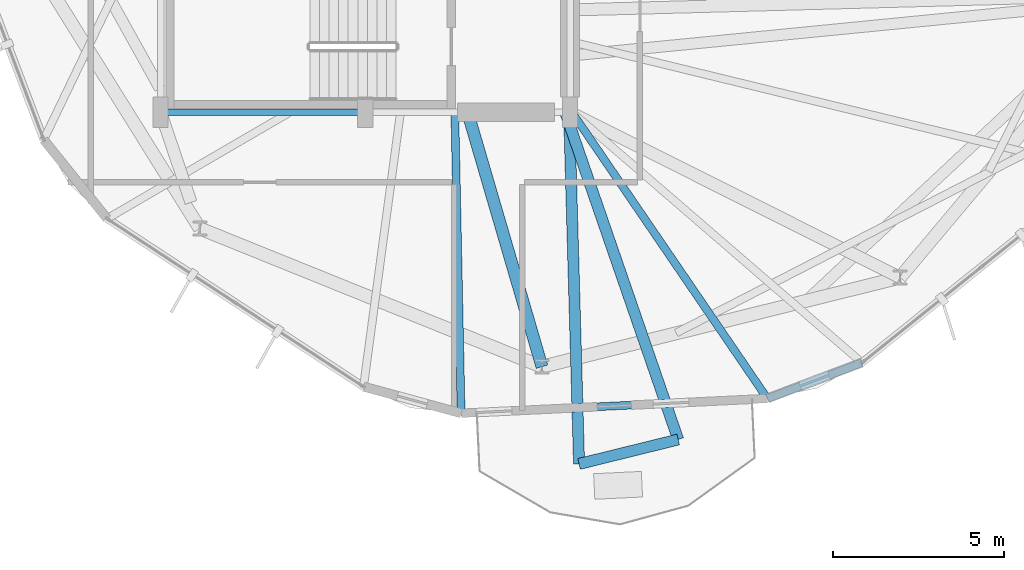
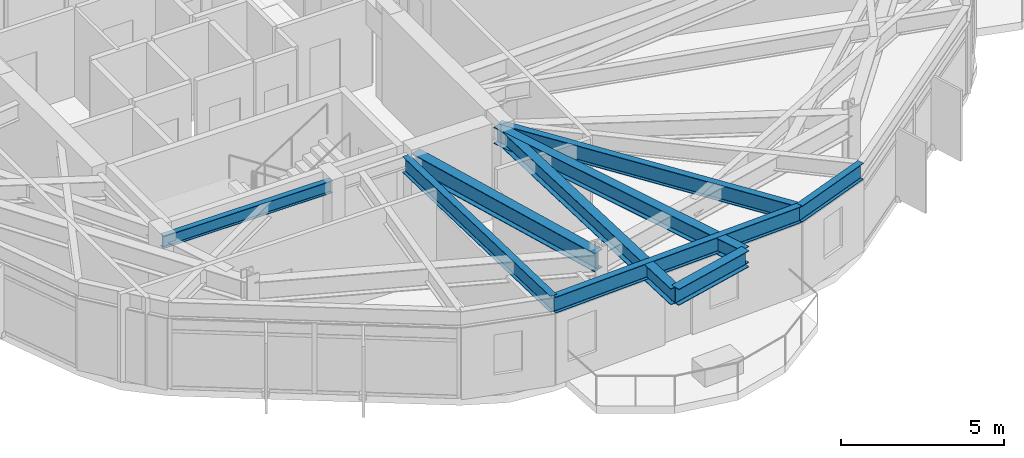
# One storey, part 4 of 23: 9 beams.
"""IFC4 building model written with IfcOpenShell, lengths in metres."""

import ifcopenshell
import ifcopenshell.guid

model = None  # the IFC model being written
_history = None  # IfcOwnerHistory: only IFC2X3 demands one
_inside = {}  # id of a spatial element -> (the spatial element, [elements in it])
_under = {}  # id of a project, library or spatial element -> (it, [spatial elements below it])
_declared = {}  # id of a project -> (the project, [libraries it declares])
_typed = {}  # id of a type object -> (the type object, [elements of that type])
_made_of = {}  # id of a material, layer set ... -> (it, [elements and type objects made of it])


def new_model(schema):
    """Start an empty IFC model of exactly this schema.

    Asked for "IFC4X3", IfcOpenShell would pick the latest addendum, in which some entities
    have other attributes; the version numbers below select the first issue.
    IFC2X3 requires an IfcOwnerHistory on every rooted entity: one is made here for all.
    """
    global model, _history
    if schema == "IFC4X3":
        model = ifcopenshell.file(schema_version=(4, 3, 0, 0))
    else:
        model = ifcopenshell.file(schema=schema)
    _inside.clear()
    _under.clear()
    _declared.clear()
    _typed.clear()
    _made_of.clear()
    _history = None
    if model.schema == "IFC2X3":
        org = make("IfcOrganization", Name="unknown")
        user = make(
            "IfcPersonAndOrganization",
            ThePerson=make("IfcPerson", FamilyName="unknown"),
            TheOrganization=org,
        )
        app = make(
            "IfcApplication",
            ApplicationDeveloper=org,
            Version="unknown",
            ApplicationFullName="unknown",
            ApplicationIdentifier="unknown",
        )
        _history = make(
            "IfcOwnerHistory",
            OwningUser=user,
            OwningApplication=app,
            ChangeAction="ADDED",
            CreationDate=0,
        )
    return model


def make(cls, **values):
    """One entity of the class cls with the attributes given. An attribute that is None is left unset."""
    return model.create_entity(
        cls, **{name: value for name, value in values.items() if value is not None}
    )


def rooted(cls, **values):
    """An entity with a GlobalId (a new one), such as an element, a storey or a relation."""
    return make(cls, GlobalId=ifcopenshell.guid.new(), OwnerHistory=_history, **values)


def si_unit(unit_type, name, prefix=None):
    """IfcSIUnit, for example si_unit("LENGTHUNIT", "METRE", prefix="MILLI")."""
    return make("IfcSIUnit", UnitType=unit_type, Prefix=prefix, Name=name)


def assignment(units):
    """IfcUnitAssignment: the units of a project."""
    return None if units is None else make("IfcUnitAssignment", Units=units)


def point(xyz):
    """IfcCartesianPoint."""
    return None if xyz is None else make("IfcCartesianPoint", Coordinates=xyz)


def direction(xyz):
    """IfcDirection."""
    return None if xyz is None else make("IfcDirection", DirectionRatios=xyz)


def frame(location, z_axis=None, x_axis=None):
    """IfcAxis2Placement3D, a coordinate frame: its origin and axes. An axis left out is left unset."""
    return make(
        "IfcAxis2Placement3D",
        Location=point(location),
        Axis=direction(z_axis),
        RefDirection=direction(x_axis),
    )


def frame_2d(location, x_axis=None):
    """IfcAxis2Placement2D, a coordinate frame in the plane: its origin and x axis."""
    return make(
        "IfcAxis2Placement2D", Location=point(location), RefDirection=direction(x_axis)
    )


def origin():
    """The frame at (0, 0, 0) with its axes left unset."""
    return frame((0.0, 0.0, 0.0))


def origin_2d():
    """The frame at (0, 0) in the plane with its x axis left unset."""
    return frame_2d((0.0, 0.0))


def place(relative_to, where):
    """IfcLocalPlacement: puts the frame where relative to a parent placement (None: the world)."""
    return make(
        "IfcLocalPlacement", PlacementRelTo=relative_to, RelativePlacement=where
    )


def context(
    kind, dimensions, precision=None, world=None, true_north=None, identifier=None
):
    """IfcGeometricRepresentationContext, for example the 3D "Model" context."""
    return make(
        "IfcGeometricRepresentationContext",
        ContextIdentifier=identifier,
        ContextType=kind,
        CoordinateSpaceDimension=dimensions,
        Precision=precision,
        WorldCoordinateSystem=world,
        TrueNorth=true_north,
    )


def subcontext(parent, identifier, kind, view, scale=None):
    """IfcGeometricRepresentationSubContext, for example "Body" below "Model"."""
    return make(
        "IfcGeometricRepresentationSubContext",
        ContextIdentifier=identifier,
        ContextType=kind,
        ParentContext=parent,
        TargetScale=scale,
        TargetView=view,
    )


def project(units=None, contexts=None):
    """IfcProject with its units and contexts."""
    return rooted(
        "IfcProject",
        Name="project",
        RepresentationContexts=contexts,
        UnitsInContext=assignment(units),
    )


def spatial(cls, under=None, at=None, **own):
    """A site, building, storey or space (cls), placed at a placement, below another one or the project."""
    s = rooted(cls, ObjectPlacement=at, **own)
    if under is not None:
        _under.setdefault(under.id(), (under, []))[1].append(s)
    return s


def profile(cls, at=None, kind="AREA", **sizes):
    """A parametric profile (cls). Its sizes go by their IFC names, for example OverallWidth=200.0."""
    return make(cls, ProfileType=kind, Position=at, **sizes)


def i_section(**sizes):
    """IfcIShapeProfileDef."""
    return profile("IfcIShapeProfileDef", **sizes)


def extrude(swept, where, along, depth):
    """IfcExtrudedAreaSolid: the profile swept, set in the frame where, extruded along a direction by depth."""
    return make(
        "IfcExtrudedAreaSolid",
        SweptArea=swept,
        Position=where,
        ExtrudedDirection=direction(along),
        Depth=depth,
    )


def shape(context_of_items, identifier, shape_type, items):
    """IfcShapeRepresentation: the items that make up one representation, for example the "Body"."""
    return make(
        "IfcShapeRepresentation",
        ContextOfItems=context_of_items,
        RepresentationIdentifier=identifier,
        RepresentationType=shape_type,
        Items=items,
    )


def material(Name=None, Category=None):
    """IfcMaterial."""
    return make("IfcMaterial", Name=Name, Category=Category)


def material_profile(
    of_material, cross_section, Name=None, Category=None, Priority=None
):
    """IfcMaterialProfile: a cross section and its material."""
    return make(
        "IfcMaterialProfile",
        Name=Name,
        Material=of_material,
        Profile=cross_section,
        Priority=Priority,
        Category=Category,
    )


def profile_set(profiles, Name=None, composite=None):
    """IfcMaterialProfileSet."""
    return make(
        "IfcMaterialProfileSet",
        Name=Name,
        MaterialProfiles=profiles,
        CompositeProfile=composite,
    )


def made_of(thing, what):
    """Note that an element or type object is made of a material, layer set ...; save() writes the relation."""
    if what is not None:
        _made_of.setdefault(what.id(), (what, []))[1].append(thing)
    return thing


def type_object(cls, material=None, **own):
    """A type object (cls), such as IfcWallType, which elements share."""
    return made_of(rooted(cls, **own), material)


def element(
    cls,
    number,
    at=None,
    inside=None,
    cuts=None,
    type_object=None,
    material=None,
    context=None,
    identifier="Body",
    shape_type=None,
    held_by="IfcProductDefinitionShape",
    body=None,
    shapes=None,
    **own,
):
    """One element of the class cls, such as IfcWall. Its Tag is "e" and its number.

    at: its placement. inside: the storey or other place that contains it. cuts: it is an
    opening in that element (IfcRelVoidsElement). A single representation is given by context,
    identifier, shape_type and body (its items); several are given by shapes. held_by: the class
    of the entity that holds the representations. save() writes the other relations.
    """
    e = rooted(cls, Tag="e%d" % number, ObjectPlacement=at, **own)
    if body is not None:
        shapes = [shape(context, identifier, shape_type, body)]
    if shapes is not None:
        e.Representation = make(held_by, Representations=shapes)
    if inside is not None:
        _inside.setdefault(inside.id(), (inside, []))[1].append(e)
    if cuts is not None:
        rooted(
            "IfcRelVoidsElement", RelatingBuildingElement=cuts, RelatedOpeningElement=e
        )
    if type_object is not None:
        _typed.setdefault(type_object.id(), (type_object, []))[1].append(e)
    return made_of(e, material)


def aggregate(whole, parts):
    """IfcRelAggregates: a whole, such as a stair, and the parts it consists of."""
    return rooted("IfcRelAggregates", RelatingObject=whole, RelatedObjects=parts)


def save(model, path):
    """Write the relations noted so far, then the file.

    IfcRelAggregates (storeys below a building ...), IfcRelContainedInSpatialStructure (elements
    in a storey), IfcRelDefinesByType, IfcRelAssociatesMaterial and IfcRelDeclares: one each for
    every whole, place, type object, material and project.
    """
    for whole, parts in _under.values():
        aggregate(whole, parts)
    for where, things in _inside.values():
        rooted(
            "IfcRelContainedInSpatialStructure",
            RelatedElements=things,
            RelatingStructure=where,
        )
    for kind, things in _typed.values():
        rooted("IfcRelDefinesByType", RelatedObjects=things, RelatingType=kind)
    for what, things in _made_of.values():
        rooted("IfcRelAssociatesMaterial", RelatedObjects=things, RelatingMaterial=what)
    for by, libraries in _declared.values():
        rooted("IfcRelDeclares", RelatingContext=by, RelatedDefinitions=libraries)
    model.write(path)


model = new_model("IFC4")

# Units and contexts
model_context = context("Model", 3, precision=1e-05, world=origin(), true_north=direction((0.0, 1.0)))
body_context = subcontext(model_context, "Body", "Model", "MODEL_VIEW")
ifc_project = project(units=[si_unit("LENGTHUNIT", "METRE"), si_unit("AREAUNIT", "SQUARE_METRE"), si_unit("VOLUMEUNIT", "CUBIC_METRE"), si_unit("PLANEANGLEUNIT", "RADIAN"), si_unit("MASSUNIT", "GRAM", prefix="KILO")], contexts=[model_context])

# Site, building, storey
site_placement = place(None, origin())
site = spatial("IfcSite", under=ifc_project, at=site_placement, CompositionType="ELEMENT")
building_placement = place(site_placement, origin())
building = spatial("IfcBuilding", under=site, at=building_placement, Name="Soratama Intermodal Tower", CompositionType="ELEMENT")
storey_placement = place(building_placement, frame((0.0, 0.0, 175.0)))
storey = spatial("IfcBuildingStorey", under=building, at=storey_placement, Name="L43", CompositionType="ELEMENT", Elevation=175.0)

# Beams
ifc_material_1 = material(Name="Structural steel ASTM A992 Grade 50", Category="steel")
ifc_material_profile_1 = material_profile(ifc_material_1, i_section(OverallWidth=0.324951171875, OverallDepth=0.615966796875, WebThickness=0.013916015625, FlangeThickness=0.021484375, FilletRadius=0.013916015625, at=origin_2d()), Name="W24X117")
ifc_profile_set_1 = profile_set([ifc_material_profile_1], Name="Structural steel ASTM A992 Grade 50")
beam_type_1 = type_object("IfcBeamType", Name="BM-CANT-W24X117", PredefinedType="BEAM", material=ifc_profile_set_1)
beam_1_placement = place(storey_placement, frame((44.864990234375, 4.694091796875, 2.991943359375), z_axis=(0.970976418597, 0.239175238119, 0.0), x_axis=(-0.239175238119, 0.970976418597, 0.0)))
element("IfcBeam", 1, at=beam_1_placement, inside=storey, type_object=beam_type_1, Name="BM-L43-CBHDR-3", PredefinedType="BEAM", context=body_context, shape_type="SweptSolid", body=[
    extrude(i_section(OverallWidth=0.324951171875, OverallDepth=0.615966796875, WebThickness=0.013916015625, FlangeThickness=0.021484375, FilletRadius=0.013916015625, at=origin_2d()), origin(), (0.0, 0.0, 1.0), 2.992919921875),
])
beam_2_placement = place(storey_placement, frame((44.574951171875, 14.9599609375, 2.991943359375), z_axis=(0.028241483558, -0.999601129754, 0.0), x_axis=(0.999601129754, 0.028241483558, 0.0)))
element("IfcBeam", 2, at=beam_2_placement, inside=storey, type_object=beam_type_1, Name="BM-L43-CANT-3-1", PredefinedType="BEAM", context=body_context, shape_type="SweptSolid", body=[
    extrude(i_section(OverallWidth=0.324951171875, OverallDepth=0.615966796875, WebThickness=0.013916015625, FlangeThickness=0.021484375, FilletRadius=0.013916015625, at=origin_2d()), origin(), (0.0, 0.0, 1.0), 10.27001953125),
])
beam_3_placement = place(storey_placement, frame((44.472900390625, 14.9619140625, 2.991943359375), z_axis=(0.326371124626, -0.945241709305, 0.0), x_axis=(0.945241709305, 0.326371124626, 0.0)))
element("IfcBeam", 3, at=beam_3_placement, inside=storey, type_object=beam_type_1, Name="BM-L43-CANT-3-2", PredefinedType="BEAM", context=body_context, shape_type="SweptSolid", body=[
    extrude(i_section(OverallWidth=0.324951171875, OverallDepth=0.615966796875, WebThickness=0.013916015625, FlangeThickness=0.021484375, FilletRadius=0.013916015625, at=origin_2d()), origin(), (0.0, 0.0, 1.0), 10.10546875),
])
ifc_material_2 = material(Name="Structural steel ASTM A992 Grade 50", Category="steel")
ifc_material_profile_2 = material_profile(ifc_material_2, i_section(OverallWidth=0.19091796875, OverallDepth=0.4599609375, WebThickness=0.010009765625, FlangeThickness=0.01611328125, FilletRadius=0.010986328125, at=origin_2d()), Name="W18X55")
ifc_profile_set_2 = profile_set([ifc_material_profile_2], Name="Structural steel ASTM A992 Grade 50")
beam_type_2 = type_object("IfcBeamType", Name="BM-FLR-W18X55", PredefinedType="BEAM", material=ifc_profile_set_2)
beam_4_placement = place(storey_placement, frame((32.60009765625, 15.0, 3.070068359375), z_axis=(1.0, 0.0, 0.0), x_axis=(0.0, 1.0, 0.0)))
element("IfcBeam", 4, at=beam_4_placement, inside=storey, type_object=beam_type_2, Name="BM-L43-CRING-01", PredefinedType="BEAM", context=body_context, shape_type="SweptSolid", body=[
    extrude(i_section(OverallWidth=0.19091796875, OverallDepth=0.4599609375, WebThickness=0.010009765625, FlangeThickness=0.01611328125, FilletRadius=0.010986328125, at=origin_2d()), origin(), (0.0, 0.0, 1.0), 6.0),
])
ifc_material_3 = material(Name="Structural steel ASTM A992 Grade 50", Category="steel")
ifc_material_profile_3 = material_profile(ifc_material_3, i_section(OverallWidth=0.35498046875, OverallDepth=0.695068359375, WebThickness=0.015380859375, FlangeThickness=0.02490234375, FilletRadius=0.01611328125, at=origin_2d()), Name="W27X146")
ifc_profile_set_3 = profile_set([ifc_material_profile_3], Name="Structural steel ASTM A992 Grade 50")
beam_type_3 = type_object("IfcBeamType", Name="BM-RING-W27X146", PredefinedType="BEAM", material=ifc_profile_set_3)
beam_5_placement = place(storey_placement, frame((41.60009765625, 15.0, 2.952392578125), z_axis=(0.280473008484, -0.959861912731, 0.0), x_axis=(0.959861912731, 0.280473008484, 0.0)))
element("IfcBeam", 5, at=beam_5_placement, inside=storey, type_object=beam_type_3, Name="BM-L43-RAD-08", PredefinedType="BEAM", context=body_context, shape_type="SweptSolid", body=[
    extrude(i_section(OverallWidth=0.35498046875, OverallDepth=0.695068359375, WebThickness=0.015380859375, FlangeThickness=0.02490234375, FilletRadius=0.01611328125, at=origin_2d()), origin(), (0.0, 0.0, 1.0), 7.768798828125),
])
ifc_material_4 = material(Name="Structural steel ASTM A992 Grade 50", Category="steel")
ifc_material_profile_4 = material_profile(ifc_material_4, i_section(OverallWidth=0.22900390625, OverallDepth=0.612060546875, WebThickness=0.011962890625, FlangeThickness=0.01953125, FilletRadius=0.012939453125, at=origin_2d()), Name="W24X84")
ifc_profile_set_4 = profile_set([ifc_material_profile_4], Name="Structural steel ASTM A992 Grade 50")
beam_type_4 = type_object("IfcBeamType", Name="BM-SPN-W24X84", PredefinedType="SPANDREL", material=ifc_profile_set_4)
beam_6_placement = place(storey_placement, frame((41.408935546875, 6.177978515625, 2.993896484375), z_axis=(0.998843169701, 0.048086612913, 0.0), x_axis=(-0.048086612913, 0.998843169701, 0.0)))
element("IfcBeam", 6, at=beam_6_placement, inside=storey, type_object=beam_type_4, Name="BS-L43-F07", PredefinedType="SPANDREL", context=body_context, shape_type="SweptSolid", body=[
    extrude(i_section(OverallWidth=0.22900390625, OverallDepth=0.612060546875, WebThickness=0.011962890625, FlangeThickness=0.01953125, FilletRadius=0.012939453125, at=origin_2d()), origin(), (0.0, 0.0, 1.0), 8.986572265625),
])
beam_7_placement = place(storey_placement, frame((50.385009765625, 6.610107421875, 2.993896484375), z_axis=(0.935017285541, 0.354602137247, 0.0), x_axis=(-0.354602137247, 0.935017285541, 0.0)))
element("IfcBeam", 7, at=beam_7_placement, inside=storey, type_object=beam_type_4, Name="BS-L43-CRN07", PredefinedType="SPANDREL", context=body_context, shape_type="SweptSolid", body=[
    extrude(i_section(OverallWidth=0.22900390625, OverallDepth=0.612060546875, WebThickness=0.011962890625, FlangeThickness=0.01953125, FilletRadius=0.012939453125, at=origin_2d()), origin(), (0.0, 0.0, 1.0), 2.966796875),
])
ifc_material_5 = material(Name="Structural steel ASTM A992 Grade 50", Category="steel")
ifc_material_profile_5 = material_profile(ifc_material_5, i_section(OverallWidth=0.22900390625, OverallDepth=0.612060546875, WebThickness=0.011962890625, FlangeThickness=0.01953125, FilletRadius=0.012939453125, at=origin_2d()), Name="W24X84")
ifc_profile_set_5 = profile_set([ifc_material_profile_5], Name="Structural steel ASTM A992 Grade 50")
beam_type_5 = type_object("IfcBeamType", Name="BM-TIE-W24X84", PredefinedType="BEAM", material=ifc_profile_set_5)
beam_8_placement = place(storey_placement, frame((41.22509765625, 14.9599609375, 2.993896484375), z_axis=(0.020928944626, -0.99978096565, 0.0), x_axis=(0.99978096565, 0.020928944626, 0.0)))
element("IfcBeam", 8, at=beam_8_placement, inside=storey, type_object=beam_type_5, Name="BM-L43-TIE0-07", PredefinedType="BEAM", context=body_context, shape_type="SweptSolid", body=[
    extrude(i_section(OverallWidth=0.22900390625, OverallDepth=0.612060546875, WebThickness=0.011962890625, FlangeThickness=0.01953125, FilletRadius=0.012939453125, at=origin_2d()), origin(), (0.0, 0.0, 1.0), 8.783935546875),
])
beam_9_placement = place(storey_placement, frame((44.623046875, 15.051025390625, 2.993896484375), z_axis=(0.563790383683, -0.825917915574, 0.0), x_axis=(0.825917915574, 0.563790383683, 0.0)))
element("IfcBeam", 9, at=beam_9_placement, inside=storey, type_object=beam_type_5, Name="BM-L43-TIE1-07", PredefinedType="BEAM", context=body_context, shape_type="SweptSolid", body=[
    extrude(i_section(OverallWidth=0.22900390625, OverallDepth=0.612060546875, WebThickness=0.011962890625, FlangeThickness=0.01953125, FilletRadius=0.012939453125, at=origin_2d()), origin(), (0.0, 0.0, 1.0), 10.219970703125),
])

save(model, "model.ifc")
